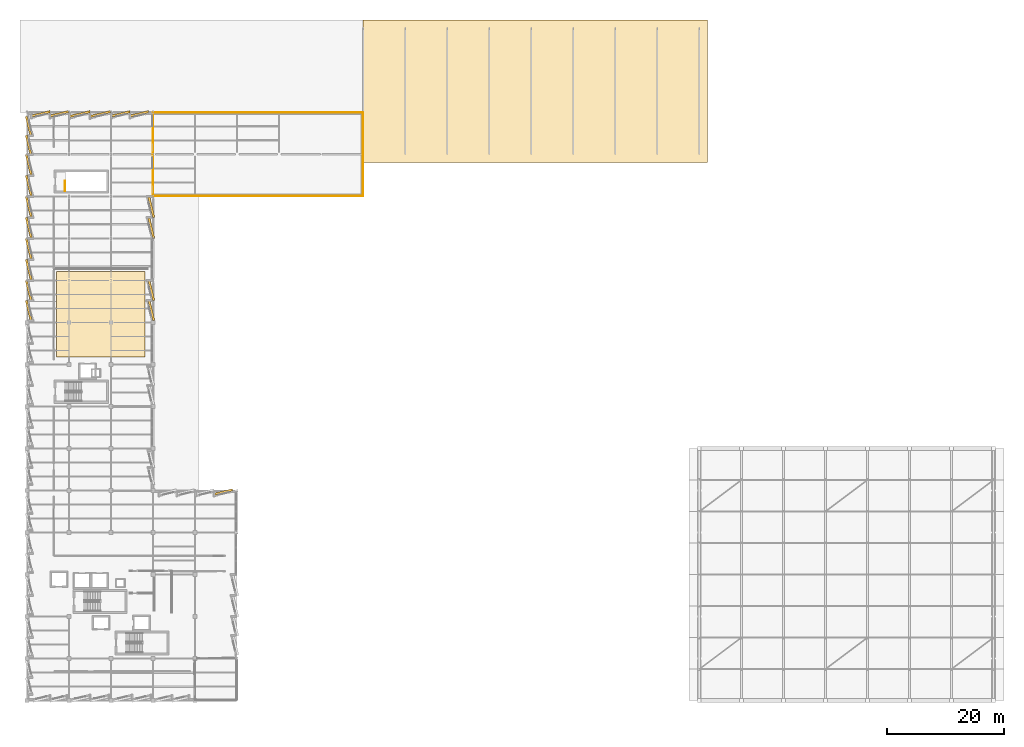
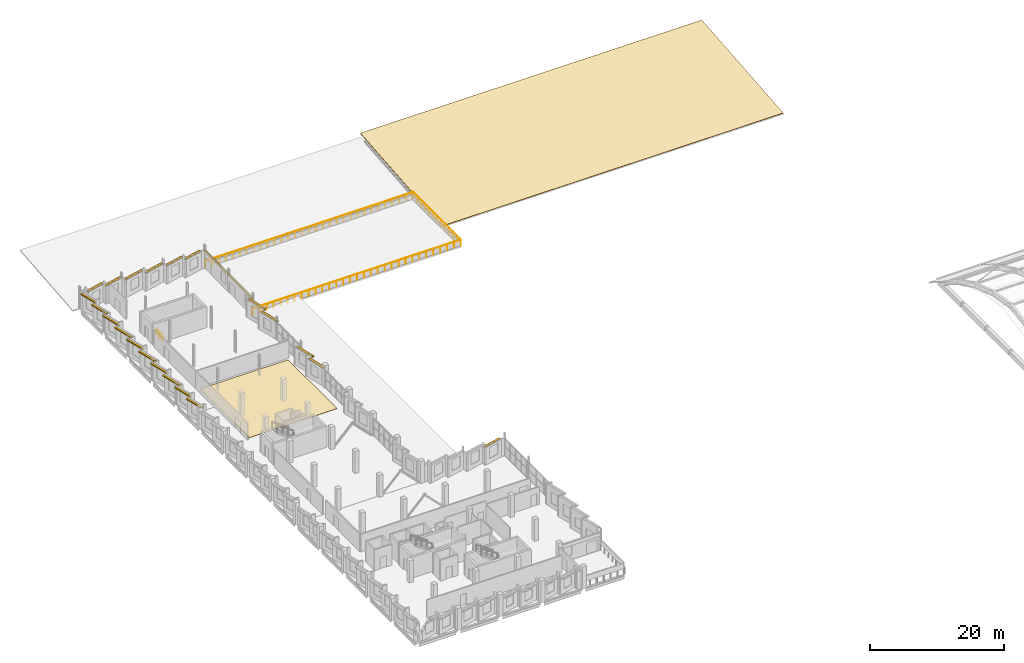
# One storey, part 38 of 38: 21 shading devices, 4 coverings, 4 railings, 1 element without a shape of its own.
"""IFC4 building model written with IfcOpenShell, lengths in metres."""

from ifc_helpers import new_model, si_unit, direction, frame, origin, origin_2d, place, context, subcontext, project, spatial, polyline, rectangle, circle, outline, extrude, material, layer, layer_set, type_object, element, aggregate, save


model = new_model("IFC4")

# Units and contexts
model_context = context("Model", 3, precision=1e-05, world=origin(), true_north=direction((0.0, 1.0)))
body_context = subcontext(model_context, "Body", "Model", "MODEL_VIEW")
ifc_project = project(units=[si_unit("LENGTHUNIT", "METRE"), si_unit("AREAUNIT", "SQUARE_METRE"), si_unit("VOLUMEUNIT", "CUBIC_METRE"), si_unit("PLANEANGLEUNIT", "RADIAN"), si_unit("MASSUNIT", "GRAM", prefix="KILO")], contexts=[model_context])

# Site, building, storey
site_placement = place(None, origin())
site = spatial("IfcSite", under=ifc_project, at=site_placement, CompositionType="ELEMENT")
building_placement = place(site_placement, origin())
building = spatial("IfcBuilding", under=site, at=building_placement, Name="Kalmorath City Hall", CompositionType="ELEMENT")
storey_placement = place(building_placement, frame((0.0, 0.0, 18.89990234375)))
storey = spatial("IfcBuildingStorey", under=building, at=storey_placement, Name="L04", CompositionType="ELEMENT", Elevation=18.89990234375)

# Coverings
ifc_material_1 = material(Name="Hardwood timber cladding", Category="wood")
ifc_layer_1 = layer(ifc_material_1, 0.044921875)
ifc_layer_set_1 = layer_set([ifc_layer_1], Name="Hardwood timber cladding")
covering_type_1 = type_object("IfcCoveringType", Name="Hardwood recessed loggia wall cladding", PredefinedType="CLADDING", material=ifc_layer_set_1)
for number, where, z_axis, x_axis, name in (
    (1, (21.594970703125, 97.199951171875, 2.588134765625), (0.0, 0.0, 1.0), (0.0, -1.0, 0.0), "L04 timber loggia lining #83"),
    (2, (21.594970703125, 90.0, 2.588134765625), (0.0, 0.0, 1.0), (0.0, -1.0, 0.0), "L04 timber loggia lining #84"),
):
    element("IfcCovering", number, at=place(storey_placement, frame(where, z_axis=z_axis, x_axis=x_axis)), inside=storey, type_object=covering_type_1, Name=name, PredefinedType="CLADDING", context=body_context, shape_type="SweptSolid", body=[
        extrude(rectangle(XDim=7.199951171875, YDim=0.044921875, at=origin_2d()), origin(), (0.0, 0.0, 1.0), 0.60009765625),
    ])

# Railings
ifc_material_2 = material(Name="Stainless steel and laminated glass", Category="steel")
railing_type_1 = type_object("IfcRailingType", Name="Outdoor terrace balustrade 1120", PredefinedType="BALUSTRADE", material=ifc_material_2)
railing_1_placement = place(storey_placement, frame((21.64990234375, 86.449951171875, 0.0)))
element("IfcRailing", 3, at=railing_1_placement, inside=storey, type_object=railing_type_1, Name="L04 Courtyard Roof Garden balustrade #10", PredefinedType="BALUSTRADE", context=body_context, shape_type="SweptSolid", body=[
    extrude(circle(Radius=0.02392578125, at=origin_2d()), frame((0.0, 0.0, 1.09619140625), z_axis=(1.0, 0.0, 0.0), x_axis=(0.0, 1.0, 0.0)), (0.0, 0.0, 1.0), 35.900146484375),
    extrude(circle(Radius=0.02099609375, at=origin_2d()), origin(), (0.0, 0.0, 1.0), 1.072021484375),
    extrude(circle(Radius=0.02099609375, at=origin_2d()), frame((1.19677734375, 0.0, 0.0)), (0.0, 0.0, 1.0), 1.072021484375),
    extrude(circle(Radius=0.02099609375, at=origin_2d()), frame((2.393310546875, 0.0, 0.0)), (0.0, 0.0, 1.0), 1.072021484375),
    extrude(circle(Radius=0.02099609375, at=origin_2d()), frame((3.590087890625, 0.0, 0.0)), (0.0, 0.0, 1.0), 1.072021484375),
    extrude(circle(Radius=0.02099609375, at=origin_2d()), frame((4.78662109375, 0.0, 0.0)), (0.0, 0.0, 1.0), 1.072021484375),
    extrude(circle(Radius=0.02099609375, at=origin_2d()), frame((5.9833984375, 0.0, 0.0)), (0.0, 0.0, 1.0), 1.072021484375),
    extrude(circle(Radius=0.02099609375, at=origin_2d()), frame((7.179931640625, 0.0, 0.0)), (0.0, 0.0, 1.0), 1.072021484375),
    extrude(circle(Radius=0.02099609375, at=origin_2d()), frame((8.376708984375, 0.0, 0.0)), (0.0, 0.0, 1.0), 1.072021484375),
    extrude(circle(Radius=0.02099609375, at=origin_2d()), frame((9.573486328125, 0.0, 0.0)), (0.0, 0.0, 1.0), 1.072021484375),
    extrude(circle(Radius=0.02099609375, at=origin_2d()), frame((10.77001953125, 0.0, 0.0)), (0.0, 0.0, 1.0), 1.072021484375),
    extrude(circle(Radius=0.02099609375, at=origin_2d()), frame((11.966796875, 0.0, 0.0)), (0.0, 0.0, 1.0), 1.072021484375),
    extrude(circle(Radius=0.02099609375, at=origin_2d()), frame((13.163330078125, 0.0, 0.0)), (0.0, 0.0, 1.0), 1.072021484375),
    extrude(circle(Radius=0.02099609375, at=origin_2d()), frame((14.360107421875, 0.0, 0.0)), (0.0, 0.0, 1.0), 1.072021484375),
    extrude(circle(Radius=0.02099609375, at=origin_2d()), frame((15.556640625, 0.0, 0.0)), (0.0, 0.0, 1.0), 1.072021484375),
    extrude(circle(Radius=0.02099609375, at=origin_2d()), frame((16.75341796875, 0.0, 0.0)), (0.0, 0.0, 1.0), 1.072021484375),
    extrude(circle(Radius=0.02099609375, at=origin_2d()), frame((17.9501953125, 0.0, 0.0)), (0.0, 0.0, 1.0), 1.072021484375),
    extrude(circle(Radius=0.02099609375, at=origin_2d()), frame((19.146728515625, 0.0, 0.0)), (0.0, 0.0, 1.0), 1.072021484375),
    extrude(circle(Radius=0.02099609375, at=origin_2d()), frame((20.343505859375, 0.0, 0.0)), (0.0, 0.0, 1.0), 1.072021484375),
    extrude(circle(Radius=0.02099609375, at=origin_2d()), frame((21.5400390625, 0.0, 0.0)), (0.0, 0.0, 1.0), 1.072021484375),
    extrude(circle(Radius=0.02099609375, at=origin_2d()), frame((22.73681640625, 0.0, 0.0)), (0.0, 0.0, 1.0), 1.072021484375),
    extrude(circle(Radius=0.02099609375, at=origin_2d()), frame((23.933349609375, 0.0, 0.0)), (0.0, 0.0, 1.0), 1.072021484375),
    extrude(circle(Radius=0.02099609375, at=origin_2d()), frame((25.130126953125, 0.0, 0.0)), (0.0, 0.0, 1.0), 1.072021484375),
    extrude(circle(Radius=0.02099609375, at=origin_2d()), frame((26.32666015625, 0.0, 0.0)), (0.0, 0.0, 1.0), 1.072021484375),
    extrude(circle(Radius=0.02099609375, at=origin_2d()), frame((27.5234375, 0.0, 0.0)), (0.0, 0.0, 1.0), 1.072021484375),
    extrude(circle(Radius=0.02099609375, at=origin_2d()), frame((28.72021484375, 0.0, 0.0)), (0.0, 0.0, 1.0), 1.072021484375),
    extrude(circle(Radius=0.02099609375, at=origin_2d()), frame((29.916748046875, 0.0, 0.0)), (0.0, 0.0, 1.0), 1.072021484375),
    extrude(circle(Radius=0.02099609375, at=origin_2d()), frame((31.113525390625, 0.0, 0.0)), (0.0, 0.0, 1.0), 1.072021484375),
    extrude(circle(Radius=0.02099609375, at=origin_2d()), frame((32.31005859375, 0.0, 0.0)), (0.0, 0.0, 1.0), 1.072021484375),
    extrude(circle(Radius=0.02099609375, at=origin_2d()), frame((33.5068359375, 0.0, 0.0)), (0.0, 0.0, 1.0), 1.072021484375),
    extrude(circle(Radius=0.02099609375, at=origin_2d()), frame((34.703369140625, 0.0, 0.0)), (0.0, 0.0, 1.0), 1.072021484375),
    extrude(circle(Radius=0.02099609375, at=origin_2d()), frame((35.900146484375, 0.0, 0.0)), (0.0, 0.0, 1.0), 1.072021484375),
])
railing_2_placement = place(storey_placement, frame((57.550048828125, 86.449951171875, 0.0)))
element("IfcRailing", 4, at=railing_2_placement, inside=storey, type_object=railing_type_1, Name="L04 Courtyard Roof Garden balustrade #11", PredefinedType="BALUSTRADE", context=body_context, shape_type="SweptSolid", body=[
    extrude(circle(Radius=0.02392578125, at=origin_2d()), frame((0.0, 0.0, 1.09619140625), z_axis=(0.0, 1.0, 0.0), x_axis=(-1.0, 0.0, 0.0)), (0.0, 0.0, 1.0), 14.300048828125),
    extrude(circle(Radius=0.02099609375, at=origin_2d()), origin(), (0.0, 0.0, 1.0), 1.072021484375),
    extrude(circle(Radius=0.02099609375, at=origin_2d()), frame((0.0, 1.191650390625, 0.0)), (0.0, 0.0, 1.0), 1.072021484375),
    extrude(circle(Radius=0.02099609375, at=origin_2d()), frame((0.0, 2.38330078125, 0.0)), (0.0, 0.0, 1.0), 1.072021484375),
    extrude(circle(Radius=0.02099609375, at=origin_2d()), frame((0.0, 3.574951171875, 0.0)), (0.0, 0.0, 1.0), 1.072021484375),
    extrude(circle(Radius=0.02099609375, at=origin_2d()), frame((0.0, 4.7666015625, 0.0)), (0.0, 0.0, 1.0), 1.072021484375),
    extrude(circle(Radius=0.02099609375, at=origin_2d()), frame((0.0, 5.958251953125, 0.0)), (0.0, 0.0, 1.0), 1.072021484375),
    extrude(circle(Radius=0.02099609375, at=origin_2d()), frame((0.0, 7.14990234375, 0.0)), (0.0, 0.0, 1.0), 1.072021484375),
    extrude(circle(Radius=0.02099609375, at=origin_2d()), frame((0.0, 8.341796875, 0.0)), (0.0, 0.0, 1.0), 1.072021484375),
    extrude(circle(Radius=0.02099609375, at=origin_2d()), frame((0.0, 9.533447265625, 0.0)), (0.0, 0.0, 1.0), 1.072021484375),
    extrude(circle(Radius=0.02099609375, at=origin_2d()), frame((0.0, 10.72509765625, 0.0)), (0.0, 0.0, 1.0), 1.072021484375),
    extrude(circle(Radius=0.02099609375, at=origin_2d()), frame((0.0, 11.916748046875, 0.0)), (0.0, 0.0, 1.0), 1.072021484375),
    extrude(circle(Radius=0.02099609375, at=origin_2d()), frame((0.0, 13.1083984375, 0.0)), (0.0, 0.0, 1.0), 1.072021484375),
    extrude(circle(Radius=0.02099609375, at=origin_2d()), frame((0.0, 14.300048828125, 0.0)), (0.0, 0.0, 1.0), 1.072021484375),
])
railing_3_placement = place(storey_placement, frame((57.550048828125, 100.75, 0.0)))
element("IfcRailing", 5, at=railing_3_placement, inside=storey, type_object=railing_type_1, Name="L04 Courtyard Roof Garden balustrade #12", PredefinedType="BALUSTRADE", context=body_context, shape_type="SweptSolid", body=[
    extrude(circle(Radius=0.02392578125, at=origin_2d()), frame((0.0, 0.0, 1.09619140625), z_axis=(-1.0, 0.0, 0.0), x_axis=(0.0, -1.0, 0.0)), (0.0, 0.0, 1.0), 35.900146484375),
    extrude(circle(Radius=0.02099609375, at=origin_2d()), origin(), (0.0, 0.0, 1.0), 1.072021484375),
    extrude(circle(Radius=0.02099609375, at=origin_2d()), frame((-1.19677734375, 0.0, 0.0)), (0.0, 0.0, 1.0), 1.072021484375),
    extrude(circle(Radius=0.02099609375, at=origin_2d()), frame((-2.393310546875, 0.0, 0.0)), (0.0, 0.0, 1.0), 1.072021484375),
    extrude(circle(Radius=0.02099609375, at=origin_2d()), frame((-3.590087890625, 0.0, 0.0)), (0.0, 0.0, 1.0), 1.072021484375),
    extrude(circle(Radius=0.02099609375, at=origin_2d()), frame((-4.78662109375, 0.0, 0.0)), (0.0, 0.0, 1.0), 1.072021484375),
    extrude(circle(Radius=0.02099609375, at=origin_2d()), frame((-5.9833984375, 0.0, 0.0)), (0.0, 0.0, 1.0), 1.072021484375),
    extrude(circle(Radius=0.02099609375, at=origin_2d()), frame((-7.179931640625, 0.0, 0.0)), (0.0, 0.0, 1.0), 1.072021484375),
    extrude(circle(Radius=0.02099609375, at=origin_2d()), frame((-8.376708984375, 0.0, 0.0)), (0.0, 0.0, 1.0), 1.072021484375),
    extrude(circle(Radius=0.02099609375, at=origin_2d()), frame((-9.573486328125, 0.0, 0.0)), (0.0, 0.0, 1.0), 1.072021484375),
    extrude(circle(Radius=0.02099609375, at=origin_2d()), frame((-10.77001953125, 0.0, 0.0)), (0.0, 0.0, 1.0), 1.072021484375),
    extrude(circle(Radius=0.02099609375, at=origin_2d()), frame((-11.966796875, 0.0, 0.0)), (0.0, 0.0, 1.0), 1.072021484375),
    extrude(circle(Radius=0.02099609375, at=origin_2d()), frame((-13.163330078125, 0.0, 0.0)), (0.0, 0.0, 1.0), 1.072021484375),
    extrude(circle(Radius=0.02099609375, at=origin_2d()), frame((-14.360107421875, 0.0, 0.0)), (0.0, 0.0, 1.0), 1.072021484375),
    extrude(circle(Radius=0.02099609375, at=origin_2d()), frame((-15.556640625, 0.0, 0.0)), (0.0, 0.0, 1.0), 1.072021484375),
    extrude(circle(Radius=0.02099609375, at=origin_2d()), frame((-16.75341796875, 0.0, 0.0)), (0.0, 0.0, 1.0), 1.072021484375),
    extrude(circle(Radius=0.02099609375, at=origin_2d()), frame((-17.9501953125, 0.0, 0.0)), (0.0, 0.0, 1.0), 1.072021484375),
    extrude(circle(Radius=0.02099609375, at=origin_2d()), frame((-19.146728515625, 0.0, 0.0)), (0.0, 0.0, 1.0), 1.072021484375),
    extrude(circle(Radius=0.02099609375, at=origin_2d()), frame((-20.343505859375, 0.0, 0.0)), (0.0, 0.0, 1.0), 1.072021484375),
    extrude(circle(Radius=0.02099609375, at=origin_2d()), frame((-21.5400390625, 0.0, 0.0)), (0.0, 0.0, 1.0), 1.072021484375),
    extrude(circle(Radius=0.02099609375, at=origin_2d()), frame((-22.73681640625, 0.0, 0.0)), (0.0, 0.0, 1.0), 1.072021484375),
    extrude(circle(Radius=0.02099609375, at=origin_2d()), frame((-23.933349609375, 0.0, 0.0)), (0.0, 0.0, 1.0), 1.072021484375),
    extrude(circle(Radius=0.02099609375, at=origin_2d()), frame((-25.130126953125, 0.0, 0.0)), (0.0, 0.0, 1.0), 1.072021484375),
    extrude(circle(Radius=0.02099609375, at=origin_2d()), frame((-26.32666015625, 0.0, 0.0)), (0.0, 0.0, 1.0), 1.072021484375),
    extrude(circle(Radius=0.02099609375, at=origin_2d()), frame((-27.5234375, 0.0, 0.0)), (0.0, 0.0, 1.0), 1.072021484375),
    extrude(circle(Radius=0.02099609375, at=origin_2d()), frame((-28.72021484375, 0.0, 0.0)), (0.0, 0.0, 1.0), 1.072021484375),
    extrude(circle(Radius=0.02099609375, at=origin_2d()), frame((-29.916748046875, 0.0, 0.0)), (0.0, 0.0, 1.0), 1.072021484375),
    extrude(circle(Radius=0.02099609375, at=origin_2d()), frame((-31.113525390625, 0.0, 0.0)), (0.0, 0.0, 1.0), 1.072021484375),
    extrude(circle(Radius=0.02099609375, at=origin_2d()), frame((-32.31005859375, 0.0, 0.0)), (0.0, 0.0, 1.0), 1.072021484375),
    extrude(circle(Radius=0.02099609375, at=origin_2d()), frame((-33.5068359375, 0.0, 0.0)), (0.0, 0.0, 1.0), 1.072021484375),
    extrude(circle(Radius=0.02099609375, at=origin_2d()), frame((-34.703369140625, 0.0, 0.0)), (0.0, 0.0, 1.0), 1.072021484375),
    extrude(circle(Radius=0.02099609375, at=origin_2d()), frame((-35.900146484375, 0.0, 0.0)), (0.0, 0.0, 1.0), 1.072021484375),
])

# Covering
ifc_material_3 = material(Name="Polished terrazzo finish")
ifc_layer_2 = layer(ifc_material_3, 0.034912109375)
ifc_layer_set_2 = layer_set([ifc_layer_2], Name="Polished terrazzo finish")
covering_type_2 = type_object("IfcCoveringType", Name="Polished civic terrazzo floor finish 35", PredefinedType="FLOORING", material=ifc_layer_set_2)
covering_1_placement = place(storey_placement, origin())
element("IfcCovering", 6, at=covering_1_placement, inside=storey, type_object=covering_type_2, Name="L04 Land Use and Environmental Law Library terrazzo flooring", PredefinedType="FLOORING", context=body_context, shape_type="SweptSolid", body=[
    extrude(outline(polyline([(20.25, 73.550048828125), (20.25, 58.85009765625), (5.050048828125, 58.85009765625), (5.050048828125, 73.550048828125), (20.25, 73.550048828125)])), origin(), (0.0, 0.0, 1.0), 0.03515625),
])

# Shading devices
ifc_material_4 = material(Name="Precast concrete C40/50", Category="concrete")
ifc_layer_3 = layer(ifc_material_4, 0.179931640625)
ifc_layer_set_3 = layer_set([ifc_layer_3], Name="Precast concrete C40/50")
shading_device_type = type_object("IfcShadingDeviceType", Name="Precast sawtooth brow sunshade 350", PredefinedType="USERDEFINED", material=ifc_layer_set_3)
for number, where, z_axis, x_axis, name in (
    (7, (0.280029296875, 66.909423828125, 3.00634765625), (0.0, 0.0, 1.0), (-0.233428392764, 0.97237399464, 0.0), "L04 precast sawtooth hood #398"),
    (8, (0.280029296875, 70.333984375, 2.998046875), (0.0, 0.0, 1.0), (-0.233428392764, 0.97237399464, 0.0), "L04 precast sawtooth hood #399"),
):
    element("IfcShadingDevice", number, at=place(storey_placement, frame(where, z_axis=z_axis, x_axis=x_axis)), inside=storey, type_object=shading_device_type, Name=name, ObjectType="SUNSHADE", PredefinedType="USERDEFINED", context=body_context, shape_type="SweptSolid", body=[
        extrude(rectangle(XDim=3.4267578125, YDim=0.360107421875, at=origin_2d()), origin(), (0.0, 0.0, 1.0), 0.179931640625),
    ])
for number, where, z_axis, x_axis, name in (
    (9, (0.301025390625, 73.84619140625, 2.998046875), (0.0, 0.0, 1.0), (-0.233445363856, 0.972369920398, 0.0), "L04 precast sawtooth hood #400"),
    (10, (0.301025390625, 77.4462890625, 2.998046875), (0.0, 0.0, 1.0), (-0.233445363856, 0.972369920398, 0.0), "L04 precast sawtooth hood #401"),
    (11, (0.301025390625, 81.046142578125, 2.998046875), (0.0, 0.0, 1.0), (-0.233445363856, 0.972369920398, 0.0), "L04 precast sawtooth hood #402"),
    (12, (0.301025390625, 84.646240234375, 2.998046875), (0.0, 0.0, 1.0), (-0.233445363856, 0.972369920398, 0.0), "L04 precast sawtooth hood #403"),
    (13, (0.301025390625, 88.24609375, 2.998046875), (0.0, 0.0, 1.0), (-0.233445363856, 0.972369920398, 0.0), "L04 precast sawtooth hood #404"),
    (14, (0.301025390625, 91.84619140625, 2.998046875), (0.0, 0.0, 1.0), (-0.233445363856, 0.972369920398, 0.0), "L04 precast sawtooth hood #405"),
):
    element("IfcShadingDevice", number, at=place(storey_placement, frame(where, z_axis=z_axis, x_axis=x_axis)), inside=storey, type_object=shading_device_type, Name=name, ObjectType="SUNSHADE", PredefinedType="USERDEFINED", context=body_context, shape_type="SweptSolid", body=[
        extrude(rectangle(XDim=3.607421875, YDim=0.360107421875, at=origin_2d()), origin(), (0.0, 0.0, 1.0), 0.179931640625),
    ])
for number, where, z_axis, x_axis, name in (
    (15, (0.26025390625, 95.276123046875, 2.998046875), (0.0, 0.0, 1.0), (-0.233462334877, 0.972365845859, 0.0), "L04 precast sawtooth hood #406"),
    (16, (0.26025390625, 98.5361328125, 3.00634765625), (0.0, 0.0, 1.0), (-0.233462334877, 0.972365845859, 0.0), "L04 precast sawtooth hood #407"),
):
    element("IfcShadingDevice", number, at=place(storey_placement, frame(where, z_axis=z_axis, x_axis=x_axis)), inside=storey, type_object=shading_device_type, Name=name, ObjectType="SUNSHADE", PredefinedType="USERDEFINED", context=body_context, shape_type="SweptSolid", body=[
        extrude(rectangle(XDim=3.257568359375, YDim=0.360107421875, at=origin_2d()), origin(), (0.0, 0.0, 1.0), 0.179931640625),
    ])
for number, where, z_axis, x_axis, name in (
    (17, (2.40771484375, 100.552001953125, 3.00634765625), (0.0, 0.0, 1.0), (0.972369920398, 0.233445363856, 0.0), "L04 precast sawtooth hood #408"),
    (18, (5.564697265625, 100.552001953125, 3.00634765625), (0.0, 0.0, 1.0), (0.972369920398, 0.233445363856, 0.0), "L04 precast sawtooth hood #409"),
):
    element("IfcShadingDevice", number, at=place(storey_placement, frame(where, z_axis=z_axis, x_axis=x_axis)), inside=storey, type_object=shading_device_type, Name=name, ObjectType="SUNSHADE", PredefinedType="USERDEFINED", context=body_context, shape_type="SweptSolid", body=[
        extrude(rectangle(XDim=3.151611328125, YDim=0.360107421875, at=origin_2d()), origin(), (0.0, 0.0, 1.0), 0.179931640625),
    ])
for number, where, z_axis, x_axis, name in (
    (19, (9.09765625, 100.51123046875, 2.99609375), (0.0, 0.0, 1.0), (0.972365845859, 0.233462334877, 0.0), "L04 precast sawtooth hood #410"),
    (20, (12.5947265625, 100.51123046875, 3.00634765625), (0.0, 0.0, 1.0), (0.972365845859, 0.233462334877, 0.0), "L04 precast sawtooth hood #411"),
):
    element("IfcShadingDevice", number, at=place(storey_placement, frame(where, z_axis=z_axis, x_axis=x_axis)), inside=storey, type_object=shading_device_type, Name=name, ObjectType="SUNSHADE", PredefinedType="USERDEFINED", context=body_context, shape_type="SweptSolid", body=[
        extrude(rectangle(XDim=3.50146484375, YDim=0.360107421875, at=origin_2d()), origin(), (0.0, 0.0, 1.0), 0.179931640625),
    ])
for number, where, z_axis, x_axis, name in (
    (21, (16.127685546875, 100.552001953125, 2.99609375), (0.0, 0.0, 1.0), (0.972369920398, 0.233445363856, 0.0), "L04 precast sawtooth hood #412"),
    (22, (19.28466796875, 100.552001953125, 3.00634765625), (0.0, 0.0, 1.0), (0.972369920398, 0.233445363856, 0.0), "L04 precast sawtooth hood #413"),
):
    element("IfcShadingDevice", number, at=place(storey_placement, frame(where, z_axis=z_axis, x_axis=x_axis)), inside=storey, type_object=shading_device_type, Name=name, ObjectType="SUNSHADE", PredefinedType="USERDEFINED", context=body_context, shape_type="SweptSolid", body=[
        extrude(rectangle(XDim=3.151611328125, YDim=0.360107421875, at=origin_2d()), origin(), (0.0, 0.0, 1.0), 0.179931640625),
    ])
for number, where, z_axis, x_axis, name in (
    (23, (21.298828125, 84.5537109375, 2.998046875), (0.0, 0.0, 1.0), (0.233445363856, -0.972369920398, 0.0), "L04 precast sawtooth hood #414"),
    (24, (21.298828125, 80.953857421875, 2.998046875), (0.0, 0.0, 1.0), (0.233445363856, -0.972369920398, 0.0), "L04 precast sawtooth hood #415"),
):
    element("IfcShadingDevice", number, at=place(storey_placement, frame(where, z_axis=z_axis, x_axis=x_axis)), inside=storey, type_object=shading_device_type, Name=name, ObjectType="SUNSHADE", PredefinedType="USERDEFINED", context=body_context, shape_type="SweptSolid", body=[
        extrude(rectangle(XDim=3.607421875, YDim=0.360107421875, at=origin_2d()), origin(), (0.0, 0.0, 1.0), 0.179931640625),
    ])
for number, where, z_axis, x_axis, name in (
    (25, (21.320068359375, 70.24169921875, 2.998046875), (0.0, 0.0, 1.0), (0.233428392764, -0.97237399464, 0.0), "L04 precast sawtooth hood #416"),
    (26, (21.320068359375, 66.817138671875, 3.00634765625), (0.0, 0.0, 1.0), (0.233428392764, -0.97237399464, 0.0), "L04 precast sawtooth hood #417"),
):
    element("IfcShadingDevice", number, at=place(storey_placement, frame(where, z_axis=z_axis, x_axis=x_axis)), inside=storey, type_object=shading_device_type, Name=name, ObjectType="SUNSHADE", PredefinedType="USERDEFINED", context=body_context, shape_type="SweptSolid", body=[
        extrude(rectangle(XDim=3.4267578125, YDim=0.360107421875, at=origin_2d()), origin(), (0.0, 0.0, 1.0), 0.179931640625),
    ])
shading_device_placement = place(storey_placement, frame((33.684814453125, 35.752197265625, 3.00634765625), z_axis=(0.0, 0.0, 1.0), x_axis=(0.972369920398, 0.233445363856, 0.0)))
element("IfcShadingDevice", 27, at=shading_device_placement, inside=storey, type_object=shading_device_type, Name="L04 precast sawtooth hood #425", ObjectType="SUNSHADE", PredefinedType="USERDEFINED", context=body_context, shape_type="SweptSolid", body=[
    extrude(rectangle(XDim=3.151611328125, YDim=0.360107421875, at=origin_2d()), origin(), (0.0, 0.0, 1.0), 0.179931640625),
])

# Railing
ifc_material_5 = material(Name="Painted steel guardrail", Category="steel")
railing_type_2 = type_object("IfcRailingType", Name="Protected stair guardrail 1100", PredefinedType="GUARDRAIL", material=ifc_material_5)
railing_4_placement = place(storey_placement, frame((6.5, 87.300048828125, 0.0)))
element("IfcRailing", 28, at=railing_4_placement, inside=storey, type_object=railing_type_2, Name="L04 ST-4 top well guard 1", PredefinedType="GUARDRAIL", context=body_context, shape_type="SweptSolid", body=[
    extrude(circle(Radius=0.02392578125, at=origin_2d()), frame((0.0, 0.0, 1.076171875), z_axis=(0.0, 1.0, 0.0), x_axis=(-1.0, 0.0, 0.0)), (0.0, 0.0, 1.0), 1.75),
    extrude(circle(Radius=0.02099609375, at=origin_2d()), origin(), (0.0, 0.0, 1.0), 1.052001953125),
    extrude(circle(Radius=0.02099609375, at=origin_2d()), frame((0.0, 0.875, 0.0)), (0.0, 0.0, 1.0), 1.052001953125),
    extrude(circle(Radius=0.02099609375, at=origin_2d()), frame((0.0, 1.75, 0.0)), (0.0, 0.0, 1.0), 1.052001953125),
])

# Roof, covering
ifc_material_6 = material(Name="Concrete C40/50", Category="concrete")
roof_type = type_object("IfcRoofType", Name="Folded-plate steel and concrete roof assembly", PredefinedType="GABLE_ROOF", material=ifc_material_6)
roof_placement = place(storey_placement, origin())
roof = element("IfcRoof", 29, at=roof_placement, inside=storey, type_object=roof_type, Name="L04 roof assembly RFG-V4", PredefinedType="GABLE_ROOF")
ifc_material_7 = material(Name="Weathered zinc standing-seam roofing")
ifc_layer_4 = layer(ifc_material_7, 0.050048828125)
ifc_layer_set_4 = layer_set([ifc_layer_4], Name="Weathered zinc standing-seam roofing")
covering_type_3 = type_object("IfcCoveringType", Name="Standing-seam hurricane roof covering", PredefinedType="ROOFING", material=ifc_layer_set_4)
covering_2_placement = place(storey_placement, frame((57.60009765625, 92.199951171875, 0.050048828125), z_axis=(0.0, -0.089797146797, 0.995960075719), x_axis=(1.0, 0.0, 0.0)))
covering_2 = element("IfcCovering", 30, at=covering_2_placement, type_object=covering_type_3, Name="L04 standing-seam roof covering RFG-V4", PredefinedType="ROOFING", context=body_context, shape_type="SweptSolid", body=[
    extrude(outline(polyline([(0.0, 0.0), (59.0, 0.0), (59.0, 24.499121078471198), (0.0, 24.499121078471198), (0.0, 0.0)])), origin(), (0.0, 0.0, -1.0), 0.050048828125),
])
aggregate(roof, [covering_2])

save(model, "model.ifc")
